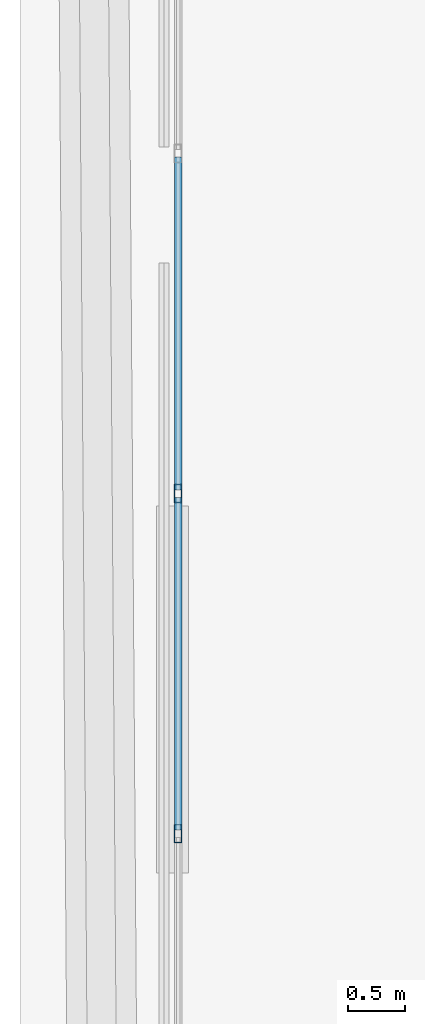
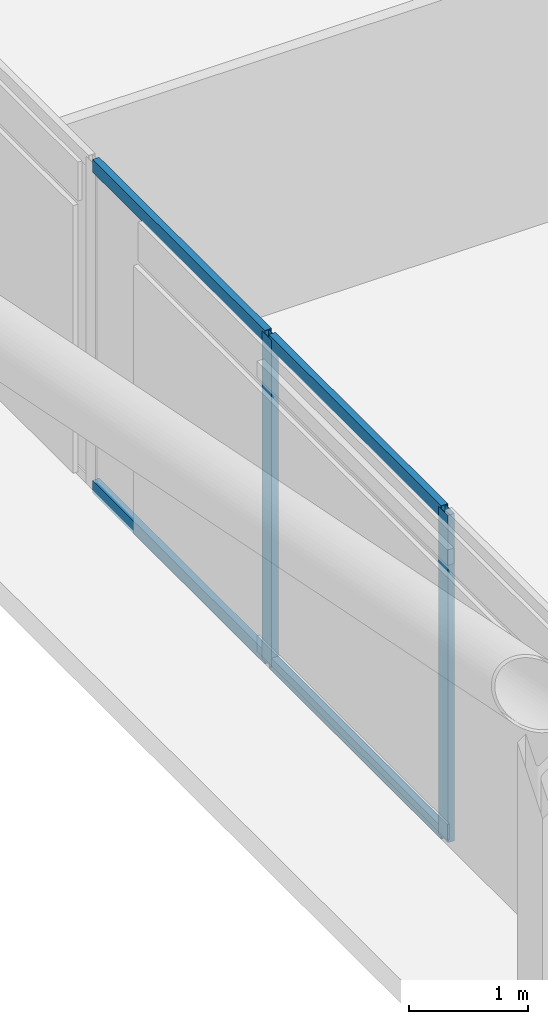
# One storey, part 15 of 50: 6 members, 1 element without a shape of its own.
"""IFC4 building model written with IfcOpenShell, lengths in metres."""

from ifc_helpers import new_model, si_unit, direction, frame, origin, origin_2d, place, context, subcontext, project, spatial, hollow_rectangle, extrude, material, layer, layer_set, material_profile, profile_set, type_object, element, aggregate, save


model = new_model("IFC4")

# Units and contexts
model_context = context("Model", 3, precision=1e-05, world=origin(), true_north=direction((0.0, 1.0)))
body_context = subcontext(model_context, "Body", "Model", "MODEL_VIEW")
ifc_project = project(units=[si_unit("LENGTHUNIT", "METRE"), si_unit("AREAUNIT", "SQUARE_METRE"), si_unit("VOLUMEUNIT", "CUBIC_METRE"), si_unit("PLANEANGLEUNIT", "RADIAN"), si_unit("MASSUNIT", "GRAM", prefix="KILO")], contexts=[model_context])

# Site, building, storey
site_placement = place(None, origin())
site = spatial("IfcSite", under=ifc_project, at=site_placement, CompositionType="ELEMENT")
building_placement = place(site_placement, origin())
building = spatial("IfcBuilding", under=site, at=building_placement, Name="Caelvoria Tower", CompositionType="ELEMENT")
storey_placement = place(building_placement, frame((0.0, 0.0, 71.199951171875)))
storey = spatial("IfcBuildingStorey", under=building, at=storey_placement, Name="L18", CompositionType="ELEMENT", Elevation=71.199951171875)

# Curtain wall, members
ifc_material_1 = material(Name="Anodised Bronze Aluminium and Low-E Glass", Category="aluminium")
ifc_layer = layer(ifc_material_1, 0.18505859375, Name="Anodised Bronze Aluminium and Low-E Glass")
ifc_layer_set = layer_set([ifc_layer], Name="CW System 2 Lower Tower Bronze Unitised Facade - Anodised Bronze Aluminium and Low-E Glass")
curtain_wall_type = type_object("IfcCurtainWallType", Name="CW System 2 Lower Tower Bronze Unitised Facade", PredefinedType="NOTDEFINED", material=ifc_layer_set)
curtain_wall_placement = place(storey_placement, origin())
curtain_wall = element("IfcCurtainWall", 1, at=curtain_wall_placement, inside=storey, type_object=curtain_wall_type, Name="CW-02 Curtain Wall L18-E6", PredefinedType="NOTDEFINED")
ifc_material_2 = material(Name="Anodised Bronze Architectural Aluminium", Category="aluminium")
ifc_material_profile_1 = material_profile(ifc_material_2, hollow_rectangle(XDim=0.06494140625, YDim=0.159912109375, WallThickness=0.00390625, at=origin_2d()), Name="Anodised Bronze Architectural Aluminium")
ifc_profile_set_1 = profile_set([ifc_material_profile_1], Name="CW_MULL_65X160 - Anodised Bronze Architectural Aluminium")
member_type_1 = type_object("IfcMemberType", Name="Curtain Wall Mullion 65x160 Bronze Aluminium", PredefinedType="MULLION", material=ifc_profile_set_1)
member_1_placement = place(storey_placement, frame((21.179931640625, 37.933349609375, 0.0), z_axis=(0.0, 0.0, 1.0), x_axis=(1.0, 0.0, 0.0)))
member_1 = element("IfcMember", 2, at=member_1_placement, type_object=member_type_1, Name="CW-02 mullion 5", PredefinedType="MULLION", context=body_context, shape_type="SweptSolid", body=[
    extrude(hollow_rectangle(XDim=0.06494140625, YDim=0.159912109375, WallThickness=0.00390625, at=origin_2d()), origin(), (0.0, 0.0, 1.0), 3.360107421875),
])
member_2_placement = place(storey_placement, frame((21.179931640625, 34.966552734375, 0.0), z_axis=(0.0, 0.0, 1.0), x_axis=(1.0, 0.0, 0.0)))
member_2 = element("IfcMember", 3, at=member_2_placement, type_object=member_type_1, Name="CW-02 mullion 6", PredefinedType="MULLION", context=body_context, shape_type="SweptSolid", body=[
    extrude(hollow_rectangle(XDim=0.06494140625, YDim=0.159912109375, WallThickness=0.00390625, at=origin_2d()), origin(), (0.0, 0.0, 1.0), 3.360107421875),
])
ifc_material_profile_2 = material_profile(ifc_material_2, hollow_rectangle(XDim=0.06494140625, YDim=0.1298828125, WallThickness=0.00341796875, at=origin_2d()), Name="Anodised Bronze Architectural Aluminium")
ifc_profile_set_2 = profile_set([ifc_material_profile_2], Name="CW_TRAN_65X130 - Anodised Bronze Architectural Aluminium")
member_type_2 = type_object("IfcMemberType", Name="Curtain Wall Transom 65x130 Bronze Aluminium", PredefinedType="USERDEFINED", material=ifc_profile_set_2)
member_3_placement = place(storey_placement, frame((21.179931640625, 40.867431640625, 0.032470703125), z_axis=(0.0, -1.0, 0.0), x_axis=(1.0, 0.0, 0.0)))
member_3 = element("IfcMember", 4, at=member_3_placement, type_object=member_type_2, Name="CW-02 transom 4.1", ObjectType="TRANSOM", PredefinedType="USERDEFINED", context=body_context, shape_type="SweptSolid", body=[
    extrude(hollow_rectangle(XDim=0.06494140625, YDim=0.1298828125, WallThickness=0.00341796875, at=origin_2d()), origin(), (0.0, 0.0, 1.0), 2.901611328125),
])
member_4_placement = place(storey_placement, frame((21.179931640625, 40.867431640625, 3.32763671875), z_axis=(0.0, -1.0, 0.0), x_axis=(1.0, 0.0, 0.0)))
member_4 = element("IfcMember", 5, at=member_4_placement, type_object=member_type_2, Name="CW-02 transom 4.2", ObjectType="TRANSOM", PredefinedType="USERDEFINED", context=body_context, shape_type="SweptSolid", body=[
    extrude(hollow_rectangle(XDim=0.06494140625, YDim=0.1298828125, WallThickness=0.00341796875, at=origin_2d()), origin(), (0.0, 0.0, 1.0), 2.901611328125),
])
member_5_placement = place(storey_placement, frame((21.179931640625, 37.90087890625, 0.032470703125), z_axis=(0.0, -1.0, 0.0), x_axis=(1.0, 0.0, 0.0)))
member_5 = element("IfcMember", 6, at=member_5_placement, type_object=member_type_2, Name="CW-02 transom 5.1", ObjectType="TRANSOM", PredefinedType="USERDEFINED", context=body_context, shape_type="SweptSolid", body=[
    extrude(hollow_rectangle(XDim=0.06494140625, YDim=0.1298828125, WallThickness=0.00341796875, at=origin_2d()), origin(), (0.0, 0.0, 1.0), 2.901611328125),
])
member_6_placement = place(storey_placement, frame((21.179931640625, 37.90087890625, 3.32763671875), z_axis=(0.0, -1.0, 0.0), x_axis=(1.0, 0.0, 0.0)))
member_6 = element("IfcMember", 7, at=member_6_placement, type_object=member_type_2, Name="CW-02 transom 5.2", ObjectType="TRANSOM", PredefinedType="USERDEFINED", context=body_context, shape_type="SweptSolid", body=[
    extrude(hollow_rectangle(XDim=0.06494140625, YDim=0.1298828125, WallThickness=0.00341796875, at=origin_2d()), origin(), (0.0, 0.0, 1.0), 2.901611328125),
])
aggregate(curtain_wall, [member_1, member_2, member_3, member_4, member_5, member_6])

save(model, "model.ifc")
